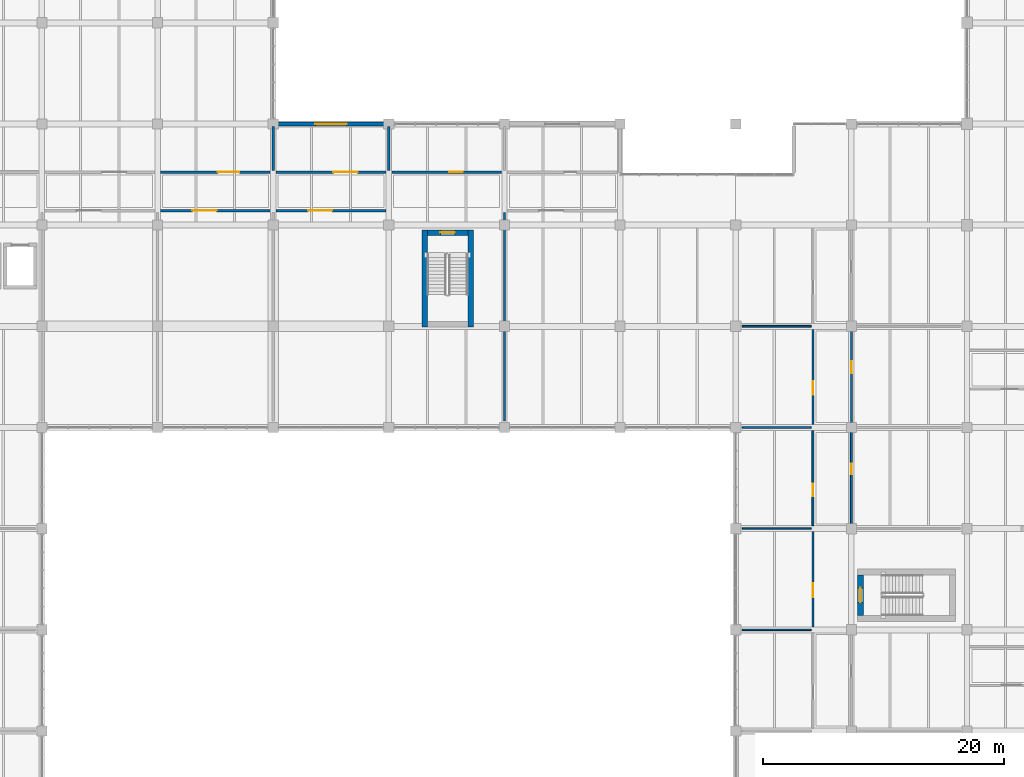
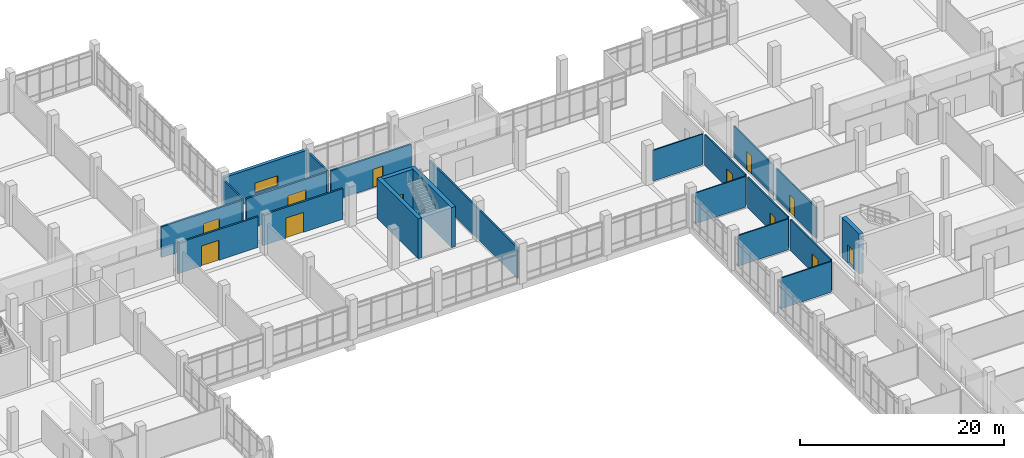
# One storey, part 125 of 152: 22 walls, 12 doors, 1 window, 13 openings.
"""IFC4 building model written with IfcOpenShell, lengths in metres."""

from ifc_helpers import new_model, si_unit, direction, frame, frame_2d, origin, place, context, subcontext, project, spatial, rectangle, extrude, material, layer, layer_set, type_object, element, fill, save


model = new_model("IFC4")

# Units and contexts
model_context = context("Model", 3, precision=1e-05, world=origin(), true_north=direction((0.0, 1.0)))
body_context = subcontext(model_context, "Body", "Model", "MODEL_VIEW")
ifc_project = project(units=[si_unit("LENGTHUNIT", "METRE"), si_unit("AREAUNIT", "SQUARE_METRE"), si_unit("VOLUMEUNIT", "CUBIC_METRE"), si_unit("PLANEANGLEUNIT", "RADIAN"), si_unit("MASSUNIT", "GRAM", prefix="KILO")], contexts=[model_context])

# Site, building, storey
site_placement = place(None, origin())
site = spatial("IfcSite", under=ifc_project, at=site_placement, CompositionType="ELEMENT")
building_placement = place(site_placement, origin())
building = spatial("IfcBuilding", under=site, at=building_placement, Name="Oolite Switchyard Hospital", CompositionType="ELEMENT")
storey_placement = place(building_placement, frame((0.0, 0.0, 5.10009765625)))
storey = spatial("IfcBuildingStorey", under=building, at=storey_placement, Name="L01", CompositionType="ELEMENT", Elevation=5.10009765625)

# Wall, opening, window
ifc_material_1 = material(Name="Precast oolitic limestone architectural concrete C40/50", Category="masonry")
ifc_layer_1 = layer(ifc_material_1, 0.360107421875)
ifc_layer_set_1 = layer_set([ifc_layer_1], Name="WAL-EXT-360")
wall_type_1 = type_object("IfcWallType", Name="WAL-EXT-360", PredefinedType="SOLIDWALL", material=ifc_layer_set_1)
wall_1_placement = place(storey_placement, frame((76.800048828125, 109.199951171875, 0.0), z_axis=(0.0, 0.0, 1.0), x_axis=(1.0, 0.0, 0.0)))
wall_1 = element("IfcWall", 1, at=wall_1_placement, inside=storey, type_object=wall_type_1, Name="L01 Exterior Spandrel Wall 88", PredefinedType="SOLIDWALL", context=body_context, shape_type="SweptSolid", body=[
    extrude(rectangle(XDim=9.599853515625, YDim=0.360107421875, at=frame_2d((4.7998046875, 0.0))), origin(), (0.0, 0.0, 1.0), 3.93994140625),
])
opening_1_placement = place(wall_1_placement, frame((3.5, 0.0, 0.85009765625)))
opening_1 = element("IfcOpeningElement", 2, at=opening_1_placement, cuts=wall_1, Name="Opening WN-0033", PredefinedType="OPENING", context=body_context, shape_type="SweptSolid", body=[
    extrude(rectangle(XDim=2.60009765625, YDim=1.199951171875, at=frame_2d((1.300048828125, 0.60009765625))), frame((0.0, 0.18994140625, 0.0), z_axis=(0.0, -1.0, 0.0), x_axis=(1.0, 0.0, 0.0)), (0.0, 0.0, 1.0), 0.380126953125),
])
ifc_material_2 = material(Name="Thermally broken aluminum frame with laminated impact glazing", Category="aluminium")
window_type = type_object("IfcWindowType", Name="WIN-IMP-260X120", PartitioningType="SINGLE_PANEL", PredefinedType="WINDOW", material=ifc_material_2)
window_placement = place(opening_1_placement, origin())
window = element("IfcWindow", 3, at=window_placement, inside=storey, type_object=window_type, Name="L01 Hurricane Impact Window WN-0033", OverallHeight=1.199951171875, OverallWidth=2.60009765625, PartitioningType="SINGLE_PANEL", PredefinedType="WINDOW", context=body_context, shape_type="SweptSolid", body=[
    extrude(rectangle(XDim=2.60009765625, YDim=1.199951171875, at=frame_2d((1.300048828125, 0.60009765625))), frame((0.0, 0.030029296875, 0.0), z_axis=(0.0, -1.0, 0.0), x_axis=(1.0, 0.0, 0.0)), (0.0, 0.0, 1.0), 0.06005859375),
])
fill(opening_1, window)

# Walls
ifc_material_3 = material(Name="Moisture-resistant gypsum board on steel studs", Category="steel")
ifc_layer_2 = layer(ifc_material_3, 0.135009765625)
ifc_layer_set_2 = layer_set([ifc_layer_2], Name="WAL-PART-135")
wall_type_2 = type_object("IfcWallType", Name="WAL-PART-135", PredefinedType="PARTITIONING", material=ifc_layer_set_2)
for number, where, z_axis, x_axis, name in (
    (4, (115.75, 67.199951171875, 0.0), (0.0, 0.0, 1.0), (1.0, 0.0, 0.0), "L01 Interior Partition 290"),
    (5, (115.75, 75.60009765625, 0.0), (0.0, 0.0, 1.0), (1.0, 0.0, 0.0), "L01 Interior Partition 292"),
    (6, (115.75, 84.0, 0.0), (0.0, 0.0, 1.0), (1.0, 0.0, 0.0), "L01 Interior Partition 296"),
    (7, (115.75, 92.39990234375, 0.0), (0.0, 0.0, 1.0), (1.0, 0.0, 0.0), "L01 Interior Partition 300"),
):
    element("IfcWall", number, at=place(storey_placement, frame(where, z_axis=z_axis, x_axis=x_axis)), inside=storey, type_object=wall_type_2, Name=name, PredefinedType="PARTITIONING", context=body_context, shape_type="SweptSolid", body=[
        extrude(rectangle(XDim=5.699951171875, YDim=0.135009765625, at=frame_2d((2.85009765625, 0.0))), origin(), (0.0, 0.0, 1.0), 3.679931640625),
    ])

# Wall, opening, door
ifc_layer_3 = layer(ifc_material_3, 0.1650390625)
ifc_layer_set_3 = layer_set([ifc_layer_3], Name="WAL-PART-165")
wall_type_3 = type_object("IfcWallType", Name="WAL-PART-165", PredefinedType="PARTITIONING", material=ifc_layer_set_3)
wall_2_placement = place(storey_placement, frame((121.60009765625, 67.449951171875, 0.0), z_axis=(0.0, 0.0, 1.0), x_axis=(0.0, 1.0, 0.0)))
wall_2 = element("IfcWall", 8, at=wall_2_placement, inside=storey, type_object=wall_type_3, Name="L01 Interior Partition 289", PredefinedType="PARTITIONING", context=body_context, shape_type="SweptSolid", body=[
    extrude(rectangle(XDim=7.900146484375, YDim=0.1650390625, at=frame_2d((3.9501953125, 0.0))), origin(), (0.0, 0.0, 1.0), 3.679931640625),
])
opening_2_placement = place(wall_2_placement, frame((2.449951171875, 0.0, 0.0)))
opening_2 = element("IfcOpeningElement", 9, at=opening_2_placement, cuts=wall_2, Name="Opening D-0168", PredefinedType="OPENING", context=body_context, shape_type="SweptSolid", body=[
    extrude(rectangle(XDim=1.14990234375, YDim=2.199951171875, at=frame_2d((0.574951171875, 1.10009765625))), frame((0.0, 0.092529296875, 0.0), z_axis=(0.0, -1.0, 0.0), x_axis=(1.0, 0.0, 0.0)), (0.0, 0.0, 1.0), 0.18505859375),
])
ifc_material_4 = material(Name="Solid-core antimicrobial hardwood leaf in steel frame", Category="steel")
door_type_1 = type_object("IfcDoorType", Name="DR-CLIN-115X220", OperationType="NOTDEFINED", PredefinedType="DOOR", material=ifc_material_4)
door_1_placement = place(opening_2_placement, origin())
door_1 = element("IfcDoor", 10, at=door_1_placement, inside=storey, type_object=door_type_1, Name="L01 Interior Door D-0168", OperationType="SINGLE_SWING_LEFT", OverallHeight=2.199951171875, OverallWidth=1.14990234375, PredefinedType="DOOR", context=body_context, shape_type="SweptSolid", body=[
    extrude(rectangle(XDim=1.14990234375, YDim=2.199951171875, at=frame_2d((0.574951171875, 1.10009765625))), frame((0.0, 0.02490234375, 0.0), z_axis=(0.0, -1.0, 0.0), x_axis=(1.0, 0.0, 0.0)), (0.0, 0.0, 1.0), 0.050048828125),
])
fill(opening_2, door_1)

wall_3_placement = place(storey_placement, frame((121.60009765625, 75.85009765625, 0.0), z_axis=(0.0, 0.0, 1.0), x_axis=(0.0, 1.0, 0.0)))
wall_3 = element("IfcWall", 11, at=wall_3_placement, inside=storey, type_object=wall_type_3, Name="L01 Interior Partition 291", PredefinedType="PARTITIONING", context=body_context, shape_type="SweptSolid", body=[
    extrude(rectangle(XDim=7.89990234375, YDim=0.1650390625, at=frame_2d((3.949951171875, 0.0))), origin(), (0.0, 0.0, 1.0), 3.679931640625),
])
opening_3_placement = place(wall_3_placement, frame((2.449951171875, 0.0, 0.0)))
opening_3 = element("IfcOpeningElement", 12, at=opening_3_placement, cuts=wall_3, Name="Opening D-0169", PredefinedType="OPENING", context=body_context, shape_type="SweptSolid", body=[
    extrude(rectangle(XDim=1.050048828125, YDim=2.10009765625, at=frame_2d((0.52490234375, 1.050048828125))), frame((0.0, 0.092529296875, 0.0), z_axis=(0.0, -1.0, 0.0), x_axis=(1.0, 0.0, 0.0)), (0.0, 0.0, 1.0), 0.18505859375),
])
door_type_2 = type_object("IfcDoorType", Name="DR-EXAM-105X210", OperationType="NOTDEFINED", PredefinedType="DOOR", material=ifc_material_4)
door_2_placement = place(opening_3_placement, origin())
door_2 = element("IfcDoor", 13, at=door_2_placement, inside=storey, type_object=door_type_2, Name="L01 Interior Door D-0169", OperationType="SINGLE_SWING_RIGHT", OverallHeight=2.10009765625, OverallWidth=1.050048828125, PredefinedType="DOOR", context=body_context, shape_type="SweptSolid", body=[
    extrude(rectangle(XDim=1.050048828125, YDim=2.10009765625, at=frame_2d((0.52490234375, 1.050048828125))), frame((0.0, 0.02490234375, 0.0), z_axis=(0.0, -1.0, 0.0), x_axis=(1.0, 0.0, 0.0)), (0.0, 0.0, 1.0), 0.050048828125),
])
fill(opening_3, door_2)

wall_4_placement = place(storey_placement, frame((124.800048828125, 75.85009765625, 0.0), z_axis=(0.0, 0.0, 1.0), x_axis=(0.0, 1.0, 0.0)))
wall_4 = element("IfcWall", 14, at=wall_4_placement, inside=storey, type_object=wall_type_3, Name="L01 Interior Partition 293", PredefinedType="PARTITIONING", context=body_context, shape_type="SweptSolid", body=[
    extrude(rectangle(XDim=7.89990234375, YDim=0.1650390625, at=frame_2d((3.949951171875, 0.0))), origin(), (0.0, 0.0, 1.0), 3.679931640625),
])
opening_4_placement = place(wall_4_placement, frame((4.25, 0.0, 0.0)))
opening_4 = element("IfcOpeningElement", 15, at=opening_4_placement, cuts=wall_4, Name="Opening D-0170", PredefinedType="OPENING", context=body_context, shape_type="SweptSolid", body=[
    extrude(rectangle(XDim=0.89990234375, YDim=2.10009765625, at=frame_2d((0.449951171875, 1.050048828125))), frame((0.0, 0.092529296875, 0.0), z_axis=(0.0, -1.0, 0.0), x_axis=(1.0, 0.0, 0.0)), (0.0, 0.0, 1.0), 0.18505859375),
])
door_type_3 = type_object("IfcDoorType", Name="DR-BATH-090X210", OperationType="NOTDEFINED", PredefinedType="DOOR", material=ifc_material_4)
door_3_placement = place(opening_4_placement, origin())
door_3 = element("IfcDoor", 16, at=door_3_placement, inside=storey, type_object=door_type_3, Name="L01 Interior Door D-0170", OperationType="SINGLE_SWING_LEFT", OverallHeight=2.10009765625, OverallWidth=0.89990234375, PredefinedType="DOOR", context=body_context, shape_type="SweptSolid", body=[
    extrude(rectangle(XDim=0.89990234375, YDim=2.10009765625, at=frame_2d((0.449951171875, 1.050048828125))), frame((0.0, 0.02490234375, 0.0), z_axis=(0.0, -1.0, 0.0), x_axis=(1.0, 0.0, 0.0)), (0.0, 0.0, 1.0), 0.050048828125),
])
fill(opening_4, door_3)

wall_5_placement = place(storey_placement, frame((121.60009765625, 84.25, 0.0), z_axis=(0.0, 0.0, 1.0), x_axis=(0.0, 1.0, 0.0)))
wall_5 = element("IfcWall", 17, at=wall_5_placement, inside=storey, type_object=wall_type_3, Name="L01 Interior Partition 295", PredefinedType="PARTITIONING", context=body_context, shape_type="SweptSolid", body=[
    extrude(rectangle(XDim=7.89990234375, YDim=0.1650390625, at=frame_2d((3.949951171875, 0.0))), origin(), (0.0, 0.0, 1.0), 3.679931640625),
])
opening_5_placement = place(wall_5_placement, frame((2.449951171875, 0.0, 0.0)))
opening_5 = element("IfcOpeningElement", 18, at=opening_5_placement, cuts=wall_5, Name="Opening D-0171", PredefinedType="OPENING", context=body_context, shape_type="SweptSolid", body=[
    extrude(rectangle(XDim=1.14990234375, YDim=2.199951171875, at=frame_2d((0.574951171875, 1.10009765625))), frame((0.0, 0.092529296875, 0.0), z_axis=(0.0, -1.0, 0.0), x_axis=(1.0, 0.0, 0.0)), (0.0, 0.0, 1.0), 0.18505859375),
])
door_4_placement = place(opening_5_placement, origin())
door_4 = element("IfcDoor", 19, at=door_4_placement, inside=storey, type_object=door_type_1, Name="L01 Interior Door D-0171", OperationType="SINGLE_SWING_LEFT", OverallHeight=2.199951171875, OverallWidth=1.14990234375, PredefinedType="DOOR", context=body_context, shape_type="SweptSolid", body=[
    extrude(rectangle(XDim=1.14990234375, YDim=2.199951171875, at=frame_2d((0.574951171875, 1.10009765625))), frame((0.0, 0.02490234375, 0.0), z_axis=(0.0, -1.0, 0.0), x_axis=(1.0, 0.0, 0.0)), (0.0, 0.0, 1.0), 0.050048828125),
])
fill(opening_5, door_4)

wall_6_placement = place(storey_placement, frame((124.800048828125, 84.25, 0.0), z_axis=(0.0, 0.0, 1.0), x_axis=(0.0, 1.0, 0.0)))
wall_6 = element("IfcWall", 20, at=wall_6_placement, inside=storey, type_object=wall_type_3, Name="L01 Interior Partition 297", PredefinedType="PARTITIONING", context=body_context, shape_type="SweptSolid", body=[
    extrude(rectangle(XDim=7.89990234375, YDim=0.1650390625, at=frame_2d((3.949951171875, 0.0))), origin(), (0.0, 0.0, 1.0), 3.679931640625),
])
opening_6_placement = place(wall_6_placement, frame((4.25, 0.0, 0.0)))
opening_6 = element("IfcOpeningElement", 21, at=opening_6_placement, cuts=wall_6, Name="Opening D-0172", PredefinedType="OPENING", context=body_context, shape_type="SweptSolid", body=[
    extrude(rectangle(XDim=1.0, YDim=2.199951171875, at=frame_2d((0.5, 1.10009765625))), frame((0.0, 0.092529296875, 0.0), z_axis=(0.0, -1.0, 0.0), x_axis=(1.0, 0.0, 0.0)), (0.0, 0.0, 1.0), 0.18505859375),
])
door_type_4 = type_object("IfcDoorType", Name="DR-OFF-100X220", OperationType="NOTDEFINED", PredefinedType="DOOR", material=ifc_material_4)
door_5_placement = place(opening_6_placement, origin())
door_5 = element("IfcDoor", 22, at=door_5_placement, inside=storey, type_object=door_type_4, Name="L01 Interior Door D-0172", OperationType="SINGLE_SWING_RIGHT", OverallHeight=2.199951171875, OverallWidth=1.0, PredefinedType="DOOR", context=body_context, shape_type="SweptSolid", body=[
    extrude(rectangle(XDim=1.0, YDim=2.199951171875, at=frame_2d((0.5, 1.10009765625))), frame((0.0, 0.02490234375, 0.0), z_axis=(0.0, -1.0, 0.0), x_axis=(1.0, 0.0, 0.0)), (0.0, 0.0, 1.0), 0.050048828125),
])
fill(opening_6, door_5)

# Walls
ifc_layer_4 = layer(ifc_material_3, 0.179931640625)
ifc_layer_set_4 = layer_set([ifc_layer_4], Name="WAL-PART-180")
wall_type_4 = type_object("IfcWallType", Name="WAL-PART-180", PredefinedType="PARTITIONING", material=ifc_layer_set_4)
for number, where, z_axis, x_axis, name in (
    (23, (76.800048828125, 105.35009765625, 0.0), (0.0, 0.0, 1.0), (0.0, 1.0, 0.0), "L01 Interior Partition 187"),
    (24, (86.39990234375, 105.35009765625, 0.0), (0.0, 0.0, 1.0), (0.0, 1.0, 0.0), "L01 Interior Partition 189"),
):
    element("IfcWall", number, at=place(storey_placement, frame(where, z_axis=z_axis, x_axis=x_axis)), inside=storey, type_object=wall_type_4, Name=name, PredefinedType="PARTITIONING", context=body_context, shape_type="SweptSolid", body=[
        extrude(rectangle(XDim=3.64990234375, YDim=0.179931640625, at=frame_2d((1.824951171875, 0.0))), origin(), (0.0, 0.0, 1.0), 3.679931640625),
    ])
wall_7_placement = place(storey_placement, frame((96.0, 84.550048828125, 0.0), z_axis=(0.0, 0.0, 1.0), x_axis=(0.0, 1.0, 0.0)))
element("IfcWall", 25, at=wall_7_placement, inside=storey, type_object=wall_type_4, Name="L01 Interior Partition 191", PredefinedType="PARTITIONING", context=body_context, shape_type="SweptSolid", body=[
    extrude(rectangle(XDim=17.300048828125, YDim=0.179931640625, at=frame_2d((8.64990234375, 0.0))), origin(), (0.0, 0.0, 1.0), 3.679931640625),
])
ifc_material_5 = material(Name="Concrete C50/60", Category="concrete")
ifc_layer_5 = layer(ifc_material_5, 0.449951171875)
ifc_layer_set_5 = layer_set([ifc_layer_5], Name="WAL-SHR-450")
wall_type_5 = type_object("IfcWallType", Name="WAL-SHR-450", PredefinedType="SHEAR", material=ifc_layer_set_5)
for number, where, z_axis, x_axis, name in (
    (26, (89.375, 100.39990234375, 0.0), (0.0, 0.0, 1.0), (0.0, -1.0, 0.0), "L01 Core Shear Wall ST-09"),
    (27, (93.18505859375, 92.35009765625, 0.0), (0.0, 0.0, 1.0), (0.0, 1.0, 0.0), "L01 Core Shear Wall ST-09"),
):
    element("IfcWall", number, at=place(storey_placement, frame(where, z_axis=z_axis, x_axis=x_axis)), inside=storey, type_object=wall_type_5, Name=name, PredefinedType="SHEAR", context=body_context, shape_type="SweptSolid", body=[
        extrude(rectangle(XDim=8.0498046875, YDim=0.449951171875, at=frame_2d((4.02490234375, 0.0))), origin(), (0.0, 0.0, 1.0), 4.7998046875),
    ])

# Wall, opening, door
wall_8_placement = place(storey_placement, frame((92.9599609375, 100.175048828125, 0.0), z_axis=(0.0, 0.0, 1.0), x_axis=(-1.0, 0.0, 0.0)))
wall_8 = element("IfcWall", 28, at=wall_8_placement, inside=storey, type_object=wall_type_5, Name="L01 Core Shear Wall ST-09", PredefinedType="SHEAR", context=body_context, shape_type="SweptSolid", body=[
    extrude(rectangle(XDim=3.35986328125, YDim=0.449951171875, at=frame_2d((1.679931640625, 0.0))), origin(), (0.0, 0.0, 1.0), 4.7998046875),
])
opening_7_placement = place(wall_8_placement, frame((1.080078125, 0.0, 0.0)))
opening_7 = element("IfcOpeningElement", 29, at=opening_7_placement, cuts=wall_8, Name="Opening SD-050", PredefinedType="OPENING", context=body_context, shape_type="SweptSolid", body=[
    extrude(rectangle(XDim=1.199951171875, YDim=2.199951171875, at=frame_2d((0.60009765625, 1.10009765625))), frame((0.0, 0.23486328125, 0.0), z_axis=(0.0, -1.0, 0.0), x_axis=(1.0, 0.0, 0.0)), (0.0, 0.0, 1.0), 0.469970703125),
])
ifc_material_6 = material(Name="Hollow metal fire-rated steel door assembly", Category="steel")
door_type_5 = type_object("IfcDoorType", Name="DR-STR-120X220", OperationType="NOTDEFINED", PredefinedType="DOOR", material=ifc_material_6)
door_6_placement = place(opening_7_placement, origin())
door_6 = element("IfcDoor", 30, at=door_6_placement, inside=storey, type_object=door_type_5, Name="L01 ST-09 Exit Stair Door SD-050", OperationType="SINGLE_SWING_RIGHT", OverallHeight=2.199951171875, OverallWidth=1.199951171875, PredefinedType="DOOR", context=body_context, shape_type="SweptSolid", body=[
    extrude(rectangle(XDim=1.199951171875, YDim=2.199951171875, at=frame_2d((0.60009765625, 1.10009765625))), frame((0.0, 0.02490234375, 0.0), z_axis=(0.0, -1.0, 0.0), x_axis=(1.0, 0.0, 0.0)), (0.0, 0.0, 1.0), 0.050048828125),
])
fill(opening_7, door_6)

ifc_layer_6 = layer(ifc_material_5, 0.5)
ifc_layer_set_6 = layer_set([ifc_layer_6], Name="WAL-SHR-500")
wall_type_6 = type_object("IfcWallType", Name="WAL-SHR-500", PredefinedType="SHEAR", material=ifc_layer_set_6)
wall_9_placement = place(storey_placement, frame((125.550048828125, 71.760009765625, 0.0), z_axis=(0.0, 0.0, 1.0), x_axis=(0.0, -1.0, 0.0)))
wall_9 = element("IfcWall", 31, at=wall_9_placement, inside=storey, type_object=wall_type_6, Name="L01 Core Shear Wall ST-10", PredefinedType="SHEAR", context=body_context, shape_type="SweptSolid", body=[
    extrude(rectangle(XDim=3.360107421875, YDim=0.5, at=frame_2d((1.68017578125, 0.0))), origin(), (0.0, 0.0, 1.0), 4.7998046875),
])
opening_8_placement = place(wall_9_placement, frame((1.080078125, 0.0, 0.0)))
opening_8 = element("IfcOpeningElement", 32, at=opening_8_placement, cuts=wall_9, Name="Opening SD-054", PredefinedType="OPENING", context=body_context, shape_type="SweptSolid", body=[
    extrude(rectangle(XDim=1.199951171875, YDim=2.199951171875, at=frame_2d((0.60009765625, 1.10009765625))), frame((0.0, 0.260009765625, 0.0), z_axis=(0.0, -1.0, 0.0), x_axis=(1.0, 0.0, 0.0)), (0.0, 0.0, 1.0), 0.52001953125),
])
door_7_placement = place(opening_8_placement, origin())
door_7 = element("IfcDoor", 33, at=door_7_placement, inside=storey, type_object=door_type_5, Name="L01 ST-10 Exit Stair Door SD-054", OperationType="SINGLE_SWING_LEFT", OverallHeight=2.199951171875, OverallWidth=1.199951171875, PredefinedType="DOOR", context=body_context, shape_type="SweptSolid", body=[
    extrude(rectangle(XDim=1.199951171875, YDim=2.199951171875, at=frame_2d((0.60009765625, 1.10009765625))), frame((0.0, 0.02490234375, 0.0), z_axis=(0.0, -1.0, 0.0), x_axis=(1.0, 0.0, 0.0)), (0.0, 0.0, 1.0), 0.050048828125),
])
fill(opening_8, door_7)

ifc_layer_7 = layer(ifc_material_3, 0.199951171875)
ifc_layer_set_7 = layer_set([ifc_layer_7], Name="WAL-SMK-200")
wall_type_7 = type_object("IfcWallType", Name="WAL-SMK-200", PredefinedType="PARTITIONING", material=ifc_layer_set_7)
wall_10_placement = place(storey_placement, frame((67.449951171875, 102.0, 0.0), z_axis=(0.0, 0.0, 1.0), x_axis=(1.0, 0.0, 0.0)))
wall_10 = element("IfcWall", 34, at=wall_10_placement, inside=storey, type_object=wall_type_7, Name="L01 Interior Partition 180", PredefinedType="PARTITIONING", context=body_context, shape_type="SweptSolid", body=[
    extrude(rectangle(XDim=9.10009765625, YDim=0.199951171875, at=frame_2d((4.550048828125, 0.0))), origin(), (0.0, 0.0, 1.0), 3.679931640625),
])
opening_9_placement = place(wall_10_placement, frame((2.64990234375, 0.0, 0.0)))
opening_9 = element("IfcOpeningElement", 35, at=opening_9_placement, cuts=wall_10, Name="Opening D-0110", PredefinedType="OPENING", context=body_context, shape_type="SweptSolid", body=[
    extrude(rectangle(XDim=2.0, YDim=2.39990234375, at=frame_2d((1.0, 1.199951171875))), frame((0.0, 0.10986328125, 0.0), z_axis=(0.0, -1.0, 0.0), x_axis=(1.0, 0.0, 0.0)), (0.0, 0.0, 1.0), 0.219970703125),
])
door_type_6 = type_object("IfcDoorType", Name="DR-OR-200X240", OperationType="NOTDEFINED", PredefinedType="DOOR", material=ifc_material_6)
door_8_placement = place(opening_9_placement, origin())
door_8 = element("IfcDoor", 36, at=door_8_placement, inside=storey, type_object=door_type_6, Name="L01 Interior Door D-0110", OperationType="DOUBLE_DOOR_SINGLE_SWING", OverallHeight=2.39990234375, OverallWidth=2.0, PredefinedType="DOOR", context=body_context, shape_type="SweptSolid", body=[
    extrude(rectangle(XDim=2.0, YDim=2.39990234375, at=frame_2d((1.0, 1.199951171875))), frame((0.0, 0.02490234375, 0.0), z_axis=(0.0, -1.0, 0.0), x_axis=(1.0, 0.0, 0.0)), (0.0, 0.0, 1.0), 0.050048828125),
])
fill(opening_9, door_8)

wall_11_placement = place(storey_placement, frame((67.449951171875, 105.199951171875, 0.0), z_axis=(0.0, 0.0, 1.0), x_axis=(1.0, 0.0, 0.0)))
wall_11 = element("IfcWall", 37, at=wall_11_placement, inside=storey, type_object=wall_type_7, Name="L01 Interior Partition 182", PredefinedType="PARTITIONING", context=body_context, shape_type="SweptSolid", body=[
    extrude(rectangle(XDim=9.10009765625, YDim=0.199951171875, at=frame_2d((4.550048828125, 0.0))), origin(), (0.0, 0.0, 1.0), 3.679931640625),
])
opening_10_placement = place(wall_11_placement, frame((4.75, 0.0, 0.0)))
opening_10 = element("IfcOpeningElement", 38, at=opening_10_placement, cuts=wall_11, Name="Opening D-0111", PredefinedType="OPENING", context=body_context, shape_type="SweptSolid", body=[
    extrude(rectangle(XDim=1.800048828125, YDim=2.39990234375, at=frame_2d((0.89990234375, 1.199951171875))), frame((0.0, 0.10986328125, 0.0), z_axis=(0.0, -1.0, 0.0), x_axis=(1.0, 0.0, 0.0)), (0.0, 0.0, 1.0), 0.219970703125),
])
door_type_7 = type_object("IfcDoorType", Name="DR-OR-180X240", OperationType="NOTDEFINED", PredefinedType="DOOR", material=ifc_material_6)
door_9_placement = place(opening_10_placement, origin())
door_9 = element("IfcDoor", 39, at=door_9_placement, inside=storey, type_object=door_type_7, Name="L01 Interior Door D-0111", OperationType="DOUBLE_DOOR_SINGLE_SWING", OverallHeight=2.39990234375, OverallWidth=1.800048828125, PredefinedType="DOOR", context=body_context, shape_type="SweptSolid", body=[
    extrude(rectangle(XDim=1.800048828125, YDim=2.39990234375, at=frame_2d((0.89990234375, 1.199951171875))), frame((0.0, 0.02490234375, 0.0), z_axis=(0.0, -1.0, 0.0), x_axis=(1.0, 0.0, 0.0)), (0.0, 0.0, 1.0), 0.050048828125),
])
fill(opening_10, door_9)

wall_12_placement = place(storey_placement, frame((77.050048828125, 102.0, 0.0), z_axis=(0.0, 0.0, 1.0), x_axis=(1.0, 0.0, 0.0)))
wall_12 = element("IfcWall", 40, at=wall_12_placement, inside=storey, type_object=wall_type_7, Name="L01 Interior Partition 184", PredefinedType="PARTITIONING", context=body_context, shape_type="SweptSolid", body=[
    extrude(rectangle(XDim=9.099853515625, YDim=0.199951171875, at=frame_2d((4.5498046875, 0.0))), origin(), (0.0, 0.0, 1.0), 3.679931640625),
])
opening_11_placement = place(wall_12_placement, frame((2.64990234375, 0.0, 0.0)))
opening_11 = element("IfcOpeningElement", 41, at=opening_11_placement, cuts=wall_12, Name="Opening D-0112", PredefinedType="OPENING", context=body_context, shape_type="SweptSolid", body=[
    extrude(rectangle(XDim=2.0, YDim=2.39990234375, at=frame_2d((1.0, 1.199951171875))), frame((0.0, 0.10986328125, 0.0), z_axis=(0.0, -1.0, 0.0), x_axis=(1.0, 0.0, 0.0)), (0.0, 0.0, 1.0), 0.219970703125),
])
door_10_placement = place(opening_11_placement, origin())
door_10 = element("IfcDoor", 42, at=door_10_placement, inside=storey, type_object=door_type_6, Name="L01 Interior Door D-0112", OperationType="DOUBLE_DOOR_SINGLE_SWING", OverallHeight=2.39990234375, OverallWidth=2.0, PredefinedType="DOOR", context=body_context, shape_type="SweptSolid", body=[
    extrude(rectangle(XDim=2.0, YDim=2.39990234375, at=frame_2d((1.0, 1.199951171875))), frame((0.0, 0.02490234375, 0.0), z_axis=(0.0, -1.0, 0.0), x_axis=(1.0, 0.0, 0.0)), (0.0, 0.0, 1.0), 0.050048828125),
])
fill(opening_11, door_10)

wall_13_placement = place(storey_placement, frame((77.050048828125, 105.199951171875, 0.0), z_axis=(0.0, 0.0, 1.0), x_axis=(1.0, 0.0, 0.0)))
wall_13 = element("IfcWall", 43, at=wall_13_placement, inside=storey, type_object=wall_type_7, Name="L01 Interior Partition 186", PredefinedType="PARTITIONING", context=body_context, shape_type="SweptSolid", body=[
    extrude(rectangle(XDim=9.099853515625, YDim=0.199951171875, at=frame_2d((4.5498046875, 0.0))), origin(), (0.0, 0.0, 1.0), 3.679931640625),
])
opening_12_placement = place(wall_13_placement, frame((4.75, 0.0, 0.0)))
opening_12 = element("IfcOpeningElement", 44, at=opening_12_placement, cuts=wall_13, Name="Opening D-0113", PredefinedType="OPENING", context=body_context, shape_type="SweptSolid", body=[
    extrude(rectangle(XDim=2.0, YDim=2.39990234375, at=frame_2d((1.0, 1.199951171875))), frame((0.0, 0.10986328125, 0.0), z_axis=(0.0, -1.0, 0.0), x_axis=(1.0, 0.0, 0.0)), (0.0, 0.0, 1.0), 0.219970703125),
])
door_11_placement = place(opening_12_placement, origin())
door_11 = element("IfcDoor", 45, at=door_11_placement, inside=storey, type_object=door_type_6, Name="L01 Interior Door D-0113", OperationType="DOUBLE_DOOR_SINGLE_SWING", OverallHeight=2.39990234375, OverallWidth=2.0, PredefinedType="DOOR", context=body_context, shape_type="SweptSolid", body=[
    extrude(rectangle(XDim=2.0, YDim=2.39990234375, at=frame_2d((1.0, 1.199951171875))), frame((0.0, 0.02490234375, 0.0), z_axis=(0.0, -1.0, 0.0), x_axis=(1.0, 0.0, 0.0)), (0.0, 0.0, 1.0), 0.050048828125),
])
fill(opening_12, door_11)

wall_14_placement = place(storey_placement, frame((86.64990234375, 105.199951171875, 0.0), z_axis=(0.0, 0.0, 1.0), x_axis=(1.0, 0.0, 0.0)))
wall_14 = element("IfcWall", 46, at=wall_14_placement, inside=storey, type_object=wall_type_7, Name="L01 Interior Partition 188", PredefinedType="PARTITIONING", context=body_context, shape_type="SweptSolid", body=[
    extrude(rectangle(XDim=9.10009765625, YDim=0.199951171875, at=frame_2d((4.550048828125, 0.0))), origin(), (0.0, 0.0, 1.0), 3.679931640625),
])
opening_13_placement = place(wall_14_placement, frame((4.75, 0.0, 0.0)))
opening_13 = element("IfcOpeningElement", 47, at=opening_13_placement, cuts=wall_14, Name="Opening D-0114", PredefinedType="OPENING", context=body_context, shape_type="SweptSolid", body=[
    extrude(rectangle(XDim=1.14990234375, YDim=2.199951171875, at=frame_2d((0.574951171875, 1.10009765625))), frame((0.0, 0.10986328125, 0.0), z_axis=(0.0, -1.0, 0.0), x_axis=(1.0, 0.0, 0.0)), (0.0, 0.0, 1.0), 0.219970703125),
])
door_12_placement = place(opening_13_placement, origin())
door_12 = element("IfcDoor", 48, at=door_12_placement, inside=storey, type_object=door_type_1, Name="L01 Interior Door D-0114", OperationType="SINGLE_SWING_RIGHT", OverallHeight=2.199951171875, OverallWidth=1.14990234375, PredefinedType="DOOR", context=body_context, shape_type="SweptSolid", body=[
    extrude(rectangle(XDim=1.14990234375, YDim=2.199951171875, at=frame_2d((0.574951171875, 1.10009765625))), frame((0.0, 0.02490234375, 0.0), z_axis=(0.0, -1.0, 0.0), x_axis=(1.0, 0.0, 0.0)), (0.0, 0.0, 1.0), 0.050048828125),
])
fill(opening_13, door_12)

save(model, "model.ifc")
